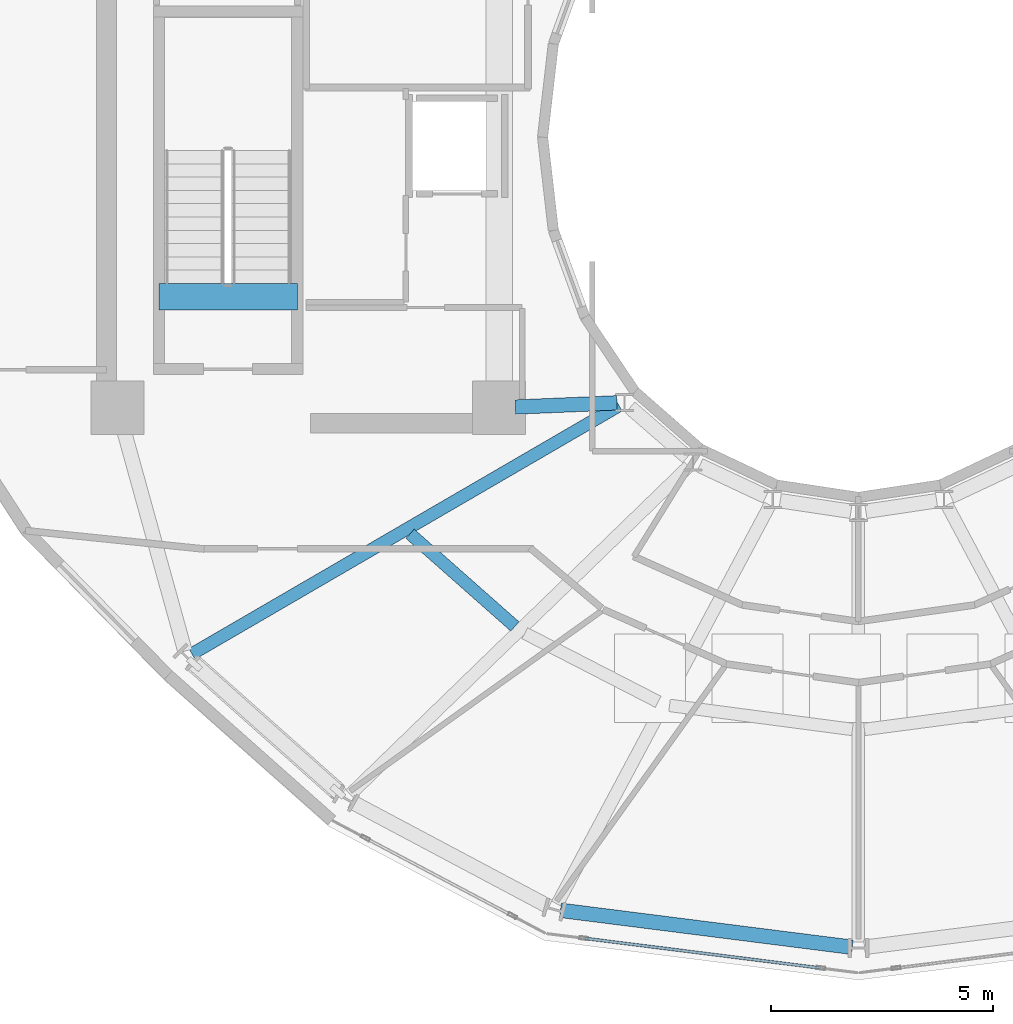
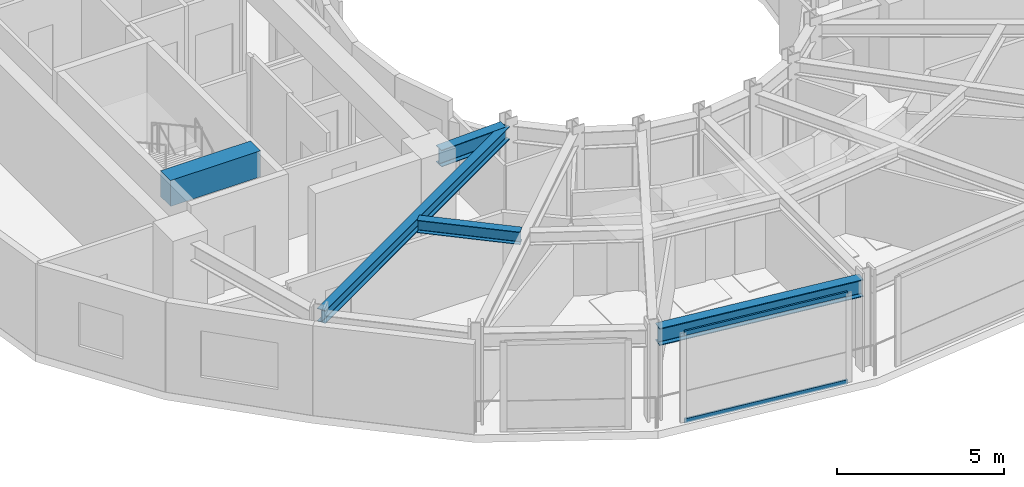
# One storey, part 3 of 19: 5 beams, 2 members, 1 element without a shape of its own.
"""IFC4 building model written with IfcOpenShell, lengths in metres."""

from ifc_helpers import new_model, si_unit, direction, frame, origin, origin_2d, place, context, subcontext, project, spatial, rectangle, hollow_rectangle, i_section, extrude, material, layer, layer_set, material_profile, profile_set, type_object, element, aggregate, save


model = new_model("IFC4")

# Units and contexts
model_context = context("Model", 3, precision=1e-05, world=origin(), true_north=direction((0.0, 1.0)))
body_context = subcontext(model_context, "Body", "Model", "MODEL_VIEW")
ifc_project = project(units=[si_unit("LENGTHUNIT", "METRE"), si_unit("AREAUNIT", "SQUARE_METRE"), si_unit("VOLUMEUNIT", "CUBIC_METRE"), si_unit("PLANEANGLEUNIT", "RADIAN"), si_unit("MASSUNIT", "GRAM", prefix="KILO")], contexts=[model_context])

# Site, building, storey
site_placement = place(None, origin())
site = spatial("IfcSite", under=ifc_project, at=site_placement, CompositionType="ELEMENT")
building_placement = place(site_placement, origin())
building = spatial("IfcBuilding", under=site, at=building_placement, Name="Solvane Sanctuary Tower", CompositionType="ELEMENT")
storey_placement = place(building_placement, frame((0.0, 0.0, 249.60009765625)))
storey = spatial("IfcBuildingStorey", under=building, at=storey_placement, Name="L76", CompositionType="ELEMENT", Elevation=249.60009765625)

# Beams
ifc_material_1 = material(Name="Concrete C70/85", Category="concrete")
ifc_material_profile_1 = material_profile(ifc_material_1, rectangle(XDim=0.60009765625, YDim=0.949951171875, at=origin_2d()), Name="RC600X950")
ifc_profile_set_1 = profile_set([ifc_material_profile_1], Name="Concrete C70/85")
beam_type_1 = type_object("IfcBeamType", Name="Beam B-COUPLE RC600X950", PredefinedType="LINTEL", material=ifc_profile_set_1)
beam_1_placement = place(storey_placement, frame((16.22998046875, 19.399169921875, 3.125), z_axis=(1.0, 0.0, 0.0), x_axis=(0.0, 1.0, 0.0)))
element("IfcBeam", 1, at=beam_1_placement, inside=storey, type_object=beam_type_1, Name="L76 ST-1 Stair Floor Landing Trimmer", PredefinedType="LINTEL", context=body_context, shape_type="SweptSolid", body=[
    extrude(rectangle(XDim=0.60009765625, YDim=0.949951171875, at=origin_2d()), origin(), (0.0, 0.0, 1.0), 3.1201171875),
])
ifc_material_2 = material(Name="Steel ASTM A992 Grade 50", Category="steel")
ifc_material_profile_2 = material_profile(ifc_material_2, i_section(OverallWidth=0.282958984375, OverallDepth=0.471923828125, WebThickness=0.013671875, FlangeThickness=0.022216796875, FilletRadius=0.013916015625, at=origin_2d()), Name="W18X97")
ifc_profile_set_2 = profile_set([ifc_material_profile_2], Name="Steel ASTM A992 Grade 50")
beam_type_2 = type_object("IfcBeamType", Name="Beam B-RAD-Z4 W18X97", PredefinedType="JOIST", material=ifc_profile_set_2)
beam_2_placement = place(storey_placement, frame((26.60400390625, 16.947509765625, 3.081787109375), z_axis=(-0.864496775109, -0.502638364857, 0.0), x_axis=(0.502638364857, -0.864496775109, 0.0)))
element("IfcBeam", 2, at=beam_2_placement, inside=storey, type_object=beam_type_2, Name="L76 Radial Composite Floor Beam 08", PredefinedType="JOIST", context=body_context, shape_type="SweptSolid", body=[
    extrude(i_section(OverallWidth=0.282958984375, OverallDepth=0.471923828125, WebThickness=0.013671875, FlangeThickness=0.022216796875, FilletRadius=0.013916015625, at=origin_2d()), origin(), (0.0, 0.0, 1.0), 11.136962890625),
])
ifc_material_profile_3 = material_profile(ifc_material_2, i_section(OverallWidth=0.324951171875, OverallDepth=0.615966796875, WebThickness=0.013916015625, FlangeThickness=0.021484375, FilletRadius=0.01611328125, at=origin_2d()), Name="W24X117")
ifc_profile_set_3 = profile_set([ifc_material_profile_3], Name="Steel ASTM A992 Grade 50")
beam_type_3 = type_object("IfcBeamType", Name="Beam B-RING-IN2 W24X117", PredefinedType="BEAM", material=ifc_profile_set_3)
beam_3_placement = place(storey_placement, frame((24.259765625, 16.9150390625, 3.010009765625), z_axis=(0.9991319677, 0.04165706566, 0.0), x_axis=(-0.04165706566, 0.9991319677, 0.0)))
element("IfcBeam", 3, at=beam_3_placement, inside=storey, type_object=beam_type_3, Name="L76 Inner Light-Well Ring Beam CW2-IC08", PredefinedType="BEAM", context=body_context, shape_type="SweptSolid", body=[
    extrude(i_section(OverallWidth=0.324951171875, OverallDepth=0.615966796875, WebThickness=0.013916015625, FlangeThickness=0.021484375, FilletRadius=0.01611328125, at=origin_2d()), origin(), (0.0, 0.0, 1.0), 2.29736328125),
])
ifc_material_profile_4 = material_profile(ifc_material_2, i_section(OverallWidth=0.280029296875, OverallDepth=0.462890625, WebThickness=0.0107421875, FlangeThickness=0.017333984375, FilletRadius=0.013916015625, at=origin_2d()), Name="W18X76")
ifc_profile_set_4 = profile_set([ifc_material_profile_4], Name="Steel ASTM A992 Grade 50")
beam_type_4 = type_object("IfcBeamType", Name="Beam B-SEC-JOIST W18X76", PredefinedType="JOIST", material=ifc_profile_set_4)
beam_4_placement = place(storey_placement, frame((21.892333984375, 14.05810546875, 3.08642578125), z_axis=(0.749354102876, -0.662169486236, 0.0), x_axis=(0.662169486236, 0.749354102876, 0.0)))
element("IfcBeam", 4, at=beam_4_placement, inside=storey, type_object=beam_type_4, Name="L76 Secondary Circumferential Joist 08-09", PredefinedType="JOIST", context=body_context, shape_type="SweptSolid", body=[
    extrude(i_section(OverallWidth=0.280029296875, OverallDepth=0.462890625, WebThickness=0.0107421875, FlangeThickness=0.017333984375, FilletRadius=0.013916015625, at=origin_2d()), origin(), (0.0, 0.0, 1.0), 3.153076171875),
])
ifc_material_profile_5 = material_profile(ifc_material_2, i_section(OverallWidth=0.327880859375, OverallDepth=0.6279296875, WebThickness=0.0166015625, FlangeThickness=0.027587890625, FilletRadius=0.01611328125, at=origin_2d()), Name="W24X146")
ifc_profile_set_5 = profile_set([ifc_material_profile_5], Name="Steel ASTM A992 Grade 50")
beam_type_5 = type_object("IfcBeamType", Name="Beam B-SPAND-Z3 W24X146", PredefinedType="SPANDREL", material=ifc_profile_set_5)
beam_5_placement = place(storey_placement, frame((25.28271484375, 5.571044921875, 3.00390625), z_axis=(0.992068601394, -0.125697613849, 0.0), x_axis=(0.125697613849, 0.992068601394, 0.0)))
element("IfcBeam", 5, at=beam_5_placement, inside=storey, type_object=beam_type_5, Name="L76 Perimeter Spandrel Beam TC10-TC11", PredefinedType="SPANDREL", context=body_context, shape_type="SweptSolid", body=[
    extrude(i_section(OverallWidth=0.327880859375, OverallDepth=0.6279296875, WebThickness=0.0166015625, FlangeThickness=0.027587890625, FilletRadius=0.01611328125, at=origin_2d()), origin(), (0.0, 0.0, 1.0), 6.630859375),
])

# Curtain wall, members
ifc_material_3 = material(Name="Anodised Aluminium 6063-T6", Category="aluminium")
ifc_layer = layer(ifc_material_3, 0.18994140625, Name="Anodised Aluminium 6063-T6")
ifc_layer_set = layer_set([ifc_layer], Name="Anodised Aluminium 6063-T6")
curtain_wall_type = type_object("IfcCurtainWallType", Name="Curtain Wall CW-OPER", PredefinedType="NOTDEFINED", material=ifc_layer_set)
curtain_wall_placement = place(storey_placement, origin())
curtain_wall = element("IfcCurtainWall", 6, at=curtain_wall_placement, inside=storey, type_object=curtain_wall_type, Name="L76 CW-OPER Facade Run 17", PredefinedType="NOTDEFINED")
ifc_material_profile_6 = material_profile(ifc_material_3, hollow_rectangle(XDim=0.06494140625, YDim=0.159912109375, WallThickness=0.00341796875, at=origin_2d()), Name="ALU160X65X3.5")
ifc_profile_set_6 = profile_set([ifc_material_profile_6], Name="Anodised Aluminium 6063-T6")
member_type = type_object("IfcMemberType", Name="Member M-CW-TRN-1 ALU160X65X3.5", PredefinedType="USERDEFINED", material=ifc_profile_set_6)
member_1_placement = place(storey_placement, frame((25.844970703125, 4.9365234375, 0.032470703125), z_axis=(0.992179929781, -0.124815812062, 0.0), x_axis=(0.124815812062, 0.992179929781, 0.0)))
member_1 = element("IfcMember", 7, at=member_1_placement, type_object=member_type, Name="CW-OPER transom 1.1", ObjectType="TRANSOM", PredefinedType="USERDEFINED", context=body_context, shape_type="SweptSolid", body=[
    extrude(hollow_rectangle(XDim=0.06494140625, YDim=0.159912109375, WallThickness=0.00341796875, at=origin_2d()), origin(), (0.0, 0.0, 1.0), 5.30859375),
])
member_2_placement = place(storey_placement, frame((25.844970703125, 4.9365234375, 3.247314453125), z_axis=(0.992179929781, -0.124815812062, 0.0), x_axis=(0.124815812062, 0.992179929781, 0.0)))
member_2 = element("IfcMember", 8, at=member_2_placement, type_object=member_type, Name="CW-OPER transom 1.2", ObjectType="TRANSOM", PredefinedType="USERDEFINED", context=body_context, shape_type="SweptSolid", body=[
    extrude(hollow_rectangle(XDim=0.06494140625, YDim=0.159912109375, WallThickness=0.00341796875, at=origin_2d()), origin(), (0.0, 0.0, 1.0), 5.30859375),
])
aggregate(curtain_wall, [member_1, member_2])

save(model, "model.ifc")
